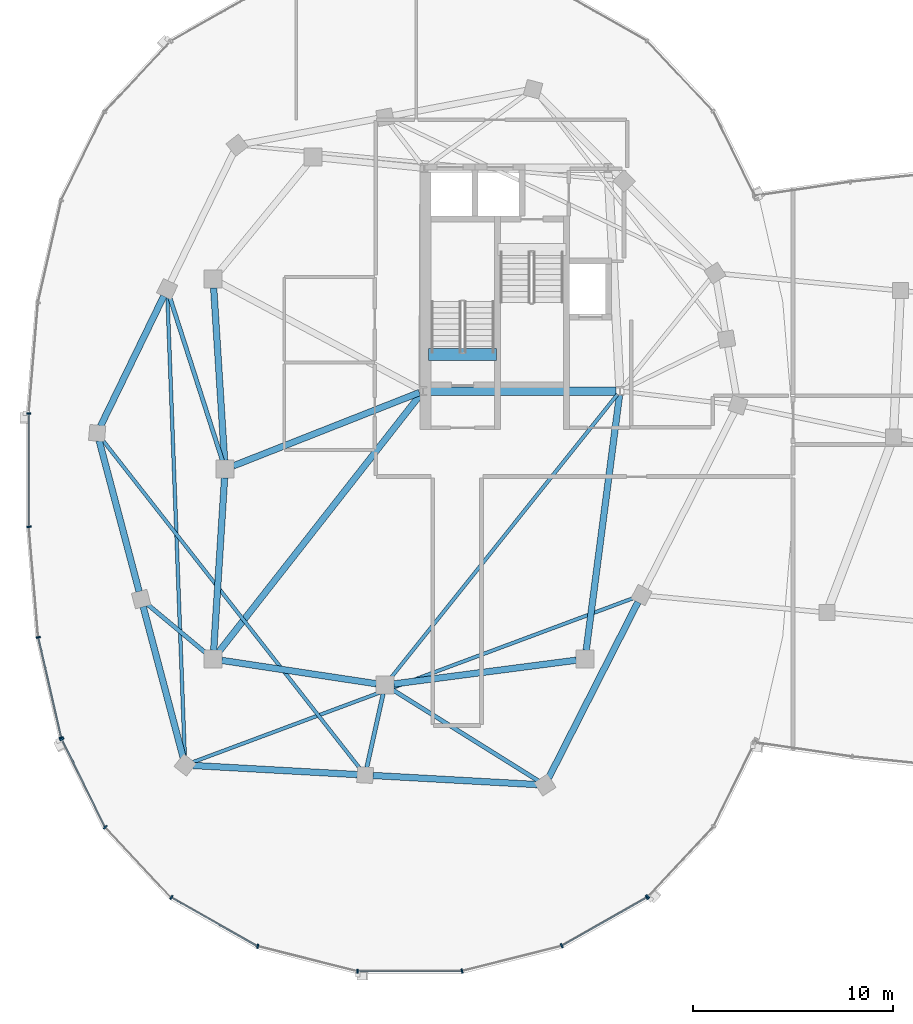
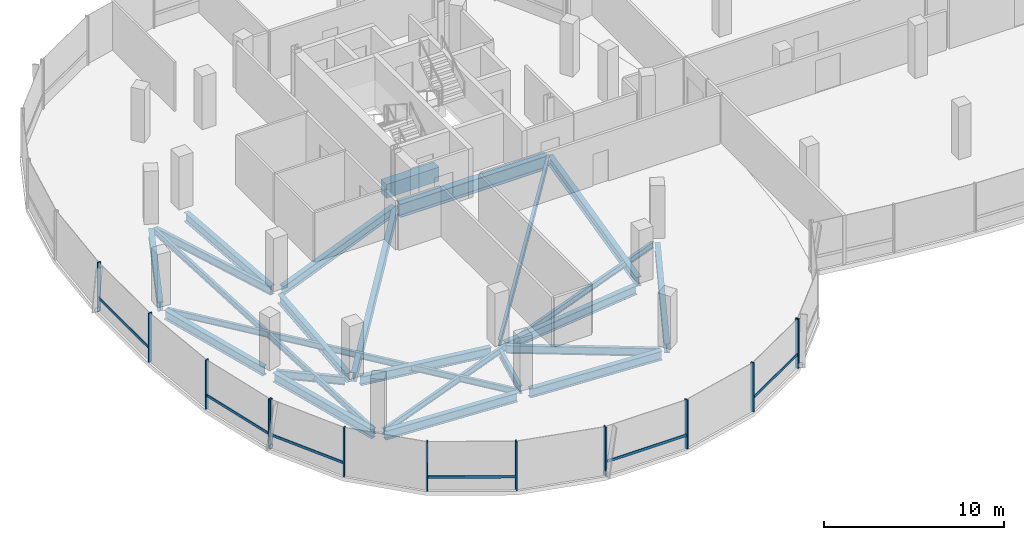
# One storey, part 3 of 24: 23 beams, 19 members, 3 elements without a shape of their own.
"""IFC4 building model written with IfcOpenShell, lengths in metres."""

from ifc_helpers import new_model, si_unit, direction, frame, origin, origin_2d, place, context, subcontext, project, spatial, rectangle, i_section, extrude, material, material_profile, profile_set, type_object, element, aggregate, save


model = new_model("IFC4")

# Units and contexts
model_context = context("Model", 3, precision=1e-05, world=origin(), true_north=direction((0.0, 1.0)))
body_context = subcontext(model_context, "Body", "Model", "MODEL_VIEW")
ifc_project = project(units=[si_unit("LENGTHUNIT", "METRE"), si_unit("AREAUNIT", "SQUARE_METRE"), si_unit("VOLUMEUNIT", "CUBIC_METRE"), si_unit("PLANEANGLEUNIT", "RADIAN"), si_unit("MASSUNIT", "GRAM", prefix="KILO"), si_unit("THERMODYNAMICTEMPERATUREUNIT", "KELVIN"), si_unit("POWERUNIT", "WATT")], contexts=[model_context])

# Site, building, storey
site_placement = place(None, origin())
site = spatial("IfcSite", under=ifc_project, at=site_placement, CompositionType="ELEMENT")
building_placement = place(site_placement, origin())
building = spatial("IfcBuilding", under=site, at=building_placement, Name="Cundina Bronze Exchange", CompositionType="ELEMENT")
storey_placement = place(building_placement, frame((0.0, 0.0, 268.39990234375)))
storey = spatial("IfcBuildingStorey", under=building, at=storey_placement, Name="L71", CompositionType="ELEMENT", Elevation=268.39990234375)

# Beams
ifc_material_1 = material(Name="Concrete C60/75", Category="concrete")
ifc_material_profile_1 = material_profile(ifc_material_1, rectangle(XDim=0.60009765625, YDim=0.949951171875, at=origin_2d()), Name="RC600X950", Category="concrete")
ifc_profile_set_1 = profile_set([ifc_material_profile_1], Name="Concrete C60/75")
beam_type_1 = type_object("IfcBeamType", Name="BM-COUP-RC950", PredefinedType="LINTEL", material=ifc_profile_set_1)
beam_1_placement = place(storey_placement, frame((-31.02001953125, 5.719970703125, -0.474853515625), z_axis=(1.0, 0.0, 0.0), x_axis=(0.0, 1.0, 0.0)))
element("IfcBeam", 1, at=beam_1_placement, inside=storey, type_object=beam_type_1, Name="L71 Stair W1 Landing Header Beam", PredefinedType="LINTEL", context=body_context, shape_type="SweptSolid", body=[
    extrude(rectangle(XDim=0.60009765625, YDim=0.949951171875, at=origin_2d()), origin(), (0.0, 0.0, 1.0), 3.39990234375),
])
ifc_material_2 = material(Name="Steel ASTM A992 Grade 50", Category="steel")
ifc_material_profile_2 = material_profile(ifc_material_2, i_section(OverallWidth=0.2119140625, OverallDepth=0.5439453125, WebThickness=0.01318359375, FlangeThickness=0.021240234375, FilletRadius=0.013916015625, at=origin_2d()), Name="W21X83", Category="steel")
ifc_profile_set_2 = profile_set([ifc_material_profile_2], Name="Steel ASTM A992 Grade 50")
beam_type_2 = type_object("IfcBeamType", Name="BM-FLR-W21A", PredefinedType="BEAM", material=ifc_profile_set_2)
beam_2_placement = place(storey_placement, frame((-41.334228515625, 0.4169921875, -0.531982421875), z_axis=(-0.306706012964, 0.951804297958, 0.0), x_axis=(-0.951804297958, -0.306706012964, 0.0)))
element("IfcBeam", 2, at=beam_2_placement, inside=storey, type_object=beam_type_2, Name="L71 Leg W Radial Floor Beam 07", PredefinedType="BEAM", context=body_context, shape_type="SweptSolid", body=[
    extrude(i_section(OverallWidth=0.2119140625, OverallDepth=0.5439453125, WebThickness=0.01318359375, FlangeThickness=0.021240234375, FilletRadius=0.013916015625, at=origin_2d()), origin(), (0.0, 0.0, 1.0), 8.629638671875),
])
beam_3_placement = place(storey_placement, frame((-42.136474609375, -9.219482421875, -0.531982421875), z_axis=(-0.768210910963, 0.640196841821, 0.0), x_axis=(-0.640196841821, -0.768210910963, 0.0)))
element("IfcBeam", 3, at=beam_3_placement, inside=storey, type_object=beam_type_2, Name="L71 Leg W Radial Floor Beam 09", PredefinedType="BEAM", context=body_context, shape_type="SweptSolid", body=[
    extrude(i_section(OverallWidth=0.2119140625, OverallDepth=0.5439453125, WebThickness=0.01318359375, FlangeThickness=0.021240234375, FilletRadius=0.013916015625, at=origin_2d()), origin(), (0.0, 0.0, 1.0), 3.860107421875),
])
beam_4_placement = place(storey_placement, frame((-33.294921875, -11.2275390625, -0.531982421875), z_axis=(-0.216930457819, -0.976187060184, 0.0), x_axis=(0.976187060184, -0.216930457819, 0.0)))
element("IfcBeam", 4, at=beam_4_placement, inside=storey, type_object=beam_type_2, Name="L71 Leg W Radial Floor Beam 11", PredefinedType="BEAM", context=body_context, shape_type="SweptSolid", body=[
    extrude(i_section(OverallWidth=0.2119140625, OverallDepth=0.5439453125, WebThickness=0.01318359375, FlangeThickness=0.021240234375, FilletRadius=0.013916015625, at=origin_2d()), origin(), (0.0, 0.0, 1.0), 3.78369140625),
])
beam_5_placement = place(storey_placement, frame((-32.82861328125, -11.031982421875, -0.531982421875), z_axis=(0.847983963552, -0.530021884038, 0.0), x_axis=(0.530021884038, 0.847983963552, 0.0)))
element("IfcBeam", 5, at=beam_5_placement, inside=storey, type_object=beam_type_2, Name="L71 Leg W Radial Floor Beam 12", PredefinedType="BEAM", context=body_context, shape_type="SweptSolid", body=[
    extrude(i_section(OverallWidth=0.2119140625, OverallDepth=0.5439453125, WebThickness=0.01318359375, FlangeThickness=0.021240234375, FilletRadius=0.013916015625, at=origin_2d()), origin(), (0.0, 0.0, 1.0), 8.608154296875),
])
ifc_material_profile_3 = material_profile(ifc_material_2, i_section(OverallWidth=0.178955078125, OverallDepth=0.409912109375, WebThickness=0.0087890625, FlangeThickness=0.014404296875, FilletRadius=0.010986328125, at=origin_2d()), Name="W16X45", Category="steel")
ifc_profile_set_3 = profile_set([ifc_material_profile_3], Name="Steel ASTM A992 Grade 50")
beam_type_3 = type_object("IfcBeamType", Name="BM-JST-W16", PredefinedType="JOIST", material=ifc_profile_set_3)
beam_6_placement = place(storey_placement, frame((-21.572509765625, 3.746826171875, -0.46484375), z_axis=(-0.624364266872, -0.781133319129, 0.0), x_axis=(0.781133319129, -0.624364266872, 0.0)))
element("IfcBeam", 6, at=beam_6_placement, inside=storey, type_object=beam_type_3, Name="L71 W Interior Core-to-Ring Joist 2", PredefinedType="JOIST", context=body_context, shape_type="SweptSolid", body=[
    extrude(i_section(OverallWidth=0.178955078125, OverallDepth=0.409912109375, WebThickness=0.0087890625, FlangeThickness=0.014404296875, FilletRadius=0.010986328125, at=origin_2d()), origin(), (0.0, 0.0, 1.0), 18.184814453125),
])
beam_7_placement = place(storey_placement, frame((-44.085205078125, 8.6123046875, -0.46484375), z_axis=(0.037784872152, -0.999285896746, 0.0), x_axis=(0.999285896746, 0.037784872152, 0.0)))
element("IfcBeam", 7, at=beam_7_placement, inside=storey, type_object=beam_type_3, Name="L71 Leg W Lobe Floor Joist 07-10", PredefinedType="JOIST", context=body_context, shape_type="SweptSolid", body=[
    extrude(i_section(OverallWidth=0.178955078125, OverallDepth=0.409912109375, WebThickness=0.0087890625, FlangeThickness=0.014404296875, FilletRadius=0.010986328125, at=origin_2d()), origin(), (0.0, 0.0, 1.0), 23.041015625),
])
beam_8_placement = place(storey_placement, frame((-47.360595703125, 1.49462890625, -0.46484375), z_axis=(0.616804005008, -0.78711677622, 0.0), x_axis=(0.78711677622, 0.616804005008, 0.0)))
element("IfcBeam", 8, at=beam_8_placement, inside=storey, type_object=beam_type_3, Name="L71 Leg W Lobe Floor Joist 08-11", PredefinedType="JOIST", context=body_context, shape_type="SweptSolid", body=[
    extrude(i_section(OverallWidth=0.178955078125, OverallDepth=0.409912109375, WebThickness=0.0087890625, FlangeThickness=0.014404296875, FilletRadius=0.010986328125, at=origin_2d()), origin(), (0.0, 0.0, 1.0), 20.948974609375),
])
beam_9_placement = place(storey_placement, frame((-42.83642578125, -14.66455078125, -0.46484375), z_axis=(0.937127932085, 0.348986015344, 0.0), x_axis=(-0.348986015344, 0.937127932085, 0.0)))
element("IfcBeam", 9, at=beam_9_placement, inside=storey, type_object=beam_type_3, Name="L71 Leg W Lobe Floor Joist 10-13", PredefinedType="JOIST", context=body_context, shape_type="SweptSolid", body=[
    extrude(i_section(OverallWidth=0.178955078125, OverallDepth=0.409912109375, WebThickness=0.0087890625, FlangeThickness=0.014404296875, FilletRadius=0.010986328125, at=origin_2d()), origin(), (0.0, 0.0, 1.0), 23.58056640625),
])
ifc_material_profile_4 = material_profile(ifc_material_2, i_section(OverallWidth=0.324951171875, OverallDepth=0.615966796875, WebThickness=0.013916015625, FlangeThickness=0.021484375, FilletRadius=0.01611328125, at=origin_2d()), Name="W24X117", Category="steel")
ifc_profile_set_4 = profile_set([ifc_material_profile_4], Name="Steel ASTM A992 Grade 50")
beam_type_4 = type_object("IfcBeamType", Name="BM-RING-W24", PredefinedType="USERDEFINED", material=ifc_profile_set_4)
for number, where, z_axis, x_axis, name in (
    (10, (-41.7724609375, 9.06298828125, -0.56787109375), (0.063046519736, -0.998010589297, 0.0), (0.998010589297, 0.063046519736, 0.0), "L71 W Inner Structural Ring Girder 03"),
    (11, (-41.2275390625, -0.43701171875, -0.56787109375), (-0.063046519736, -0.998010589297, 0.0), (0.998010589297, -0.063046519736, 0.0), "L71 W Inner Structural Ring Girder 04"),
):
    element("IfcBeam", number, at=place(storey_placement, frame(where, z_axis=z_axis, x_axis=x_axis)), inside=storey, type_object=beam_type_4, Name=name, ObjectType="GIRDER", PredefinedType="USERDEFINED", context=body_context, shape_type="SweptSolid", body=[
        extrude(i_section(OverallWidth=0.324951171875, OverallDepth=0.615966796875, WebThickness=0.013916015625, FlangeThickness=0.021484375, FilletRadius=0.01611328125, at=origin_2d()), origin(), (0.0, 0.0, 1.0), 8.64306640625),
    ])
beam_10_placement = place(storey_placement, frame((-41.366943359375, -9.5654296875, -0.56787109375), z_axis=(0.988764903598, -0.149478979839, 0.0), x_axis=(0.149478979839, 0.988764903598, 0.0)))
element("IfcBeam", 12, at=beam_10_placement, inside=storey, type_object=beam_type_4, Name="L71 W Inner Structural Ring Girder 05", ObjectType="GIRDER", PredefinedType="USERDEFINED", context=body_context, shape_type="SweptSolid", body=[
    extrude(i_section(OverallWidth=0.324951171875, OverallDepth=0.615966796875, WebThickness=0.013916015625, FlangeThickness=0.021484375, FilletRadius=0.01611328125, at=origin_2d()), origin(), (0.0, 0.0, 1.0), 7.82177734375),
])
beam_11_placement = place(storey_placement, frame((-32.765625, -10.743408203125, -0.56787109375), z_axis=(0.991656498582, 0.128908451316, 0.0), x_axis=(-0.128908451316, 0.991656498582, 0.0)))
element("IfcBeam", 13, at=beam_11_placement, inside=storey, type_object=beam_type_4, Name="L71 W Inner Structural Ring Girder 06", ObjectType="GIRDER", PredefinedType="USERDEFINED", context=body_context, shape_type="SweptSolid", body=[
    extrude(i_section(OverallWidth=0.324951171875, OverallDepth=0.615966796875, WebThickness=0.013916015625, FlangeThickness=0.021484375, FilletRadius=0.01611328125, at=origin_2d()), origin(), (0.0, 0.0, 1.0), 9.208251953125),
])
beam_12_placement = place(storey_placement, frame((-23.143310546875, -9.065673828125, -0.56787109375), z_axis=(0.129501251979, 0.991579258424, 0.0), x_axis=(-0.991579258424, 0.129501251979, 0.0)))
element("IfcBeam", 14, at=beam_12_placement, inside=storey, type_object=beam_type_4, Name="L71 W Inner Structural Ring Girder 07", ObjectType="GIRDER", PredefinedType="USERDEFINED", context=body_context, shape_type="SweptSolid", body=[
    extrude(i_section(OverallWidth=0.324951171875, OverallDepth=0.615966796875, WebThickness=0.013916015625, FlangeThickness=0.021484375, FilletRadius=0.01611328125, at=origin_2d()), origin(), (0.0, 0.0, 1.0), 12.8798828125),
])
beam_13_placement = place(storey_placement, frame((-31.482421875, 3.828125, -0.56787109375), z_axis=(-0.930404106569, -0.366535398673, 0.0), x_axis=(0.366535398673, -0.930404106569, 0.0)))
element("IfcBeam", 15, at=beam_13_placement, inside=storey, type_object=beam_type_4, Name="L71 W Core-to-Waist Tie Beam 1", ObjectType="GIRDER", PredefinedType="USERDEFINED", context=body_context, shape_type="SweptSolid", body=[
    extrude(i_section(OverallWidth=0.324951171875, OverallDepth=0.615966796875, WebThickness=0.013916015625, FlangeThickness=0.021484375, FilletRadius=0.01611328125, at=origin_2d()), origin(), (0.0, 0.0, 1.0), 10.00634765625),
])
beam_14_placement = place(storey_placement, frame((-31.4208984375, 3.74560546875, -0.56787109375), z_axis=(-0.616782900053, -0.787133314123, 0.0), x_axis=(0.787133314123, -0.616782900053, 0.0)))
element("IfcBeam", 16, at=beam_14_placement, inside=storey, type_object=beam_type_4, Name="L71 W Core-to-Waist Tie Beam 3", ObjectType="GIRDER", PredefinedType="USERDEFINED", context=body_context, shape_type="SweptSolid", body=[
    extrude(i_section(OverallWidth=0.324951171875, OverallDepth=0.615966796875, WebThickness=0.013916015625, FlangeThickness=0.021484375, FilletRadius=0.01611328125, at=origin_2d()), origin(), (0.0, 0.0, 1.0), 16.3896484375),
])
beam_15_placement = place(storey_placement, frame((-44.26953125, 8.65087890625, -0.56787109375), z_axis=(-0.437216986791, -0.899356050995, 0.0), x_axis=(0.899356050995, -0.437216986791, 0.0)))
element("IfcBeam", 17, at=beam_15_placement, inside=storey, type_object=beam_type_4, Name="L71 W Perimeter Ring Girder 07", ObjectType="GIRDER", PredefinedType="USERDEFINED", context=body_context, shape_type="SweptSolid", body=[
    extrude(i_section(OverallWidth=0.324951171875, OverallDepth=0.615966796875, WebThickness=0.013916015625, FlangeThickness=0.021484375, FilletRadius=0.01611328125, at=origin_2d()), origin(), (0.0, 0.0, 1.0), 7.2294921875),
])
for number, where, z_axis, x_axis, name in (
    (18, (-47.50048828125, 1.425048828125, -0.56787109375), (0.256183793797, -0.966628089699, 0.0), (0.966628089699, 0.256183793797, 0.0), "L71 W Perimeter Ring Girder 08"),
    (19, (-45.300537109375, -6.875, -0.56787109375), (0.256212999207, -0.966620348967, 0.0), (0.966620348967, 0.256212999207, 0.0), "L71 W Perimeter Ring Girder 09"),
):
    element("IfcBeam", number, at=place(storey_placement, frame(where, z_axis=z_axis, x_axis=x_axis)), inside=storey, type_object=beam_type_4, Name=name, ObjectType="GIRDER", PredefinedType="USERDEFINED", context=body_context, shape_type="SweptSolid", body=[
        extrude(i_section(OverallWidth=0.324951171875, OverallDepth=0.615966796875, WebThickness=0.013916015625, FlangeThickness=0.021484375, FilletRadius=0.01611328125, at=origin_2d()), origin(), (0.0, 0.0, 1.0), 7.810791015625),
    ])
for number, where, z_axis, x_axis, name in (
    (20, (-42.8125, -14.821533203125, -0.56787109375), (0.998459806018, -0.055479868117, 0.0), (0.055479868117, 0.998459806018, 0.0), "L71 W Perimeter Ring Girder 10"),
    (21, (-33.8125, -15.321533203125, -0.56787109375), (0.998459806018, -0.055479868117, 0.0), (0.055479868117, 0.998459806018, 0.0), "L71 W Perimeter Ring Girder 11"),
):
    element("IfcBeam", number, at=place(storey_placement, frame(where, z_axis=z_axis, x_axis=x_axis)), inside=storey, type_object=beam_type_4, Name=name, ObjectType="GIRDER", PredefinedType="USERDEFINED", context=body_context, shape_type="SweptSolid", body=[
        extrude(i_section(OverallWidth=0.324951171875, OverallDepth=0.615966796875, WebThickness=0.013916015625, FlangeThickness=0.021484375, FilletRadius=0.01611328125, at=origin_2d()), origin(), (0.0, 0.0, 1.0), 8.23779296875),
    ])
beam_16_placement = place(storey_placement, frame((-25.0244140625, -15.4541015625, -0.56787109375), z_axis=(0.452839263805, 0.891592171991, 0.0), x_axis=(-0.891592171991, 0.452839263805, 0.0)))
element("IfcBeam", 22, at=beam_16_placement, inside=storey, type_object=beam_type_4, Name="L71 W Perimeter Ring Girder 12", ObjectType="GIRDER", PredefinedType="USERDEFINED", context=body_context, shape_type="SweptSolid", body=[
    extrude(i_section(OverallWidth=0.324951171875, OverallDepth=0.615966796875, WebThickness=0.013916015625, FlangeThickness=0.021484375, FilletRadius=0.01611328125, at=origin_2d()), origin(), (0.0, 0.0, 1.0), 9.879150390625),
])
ifc_material_profile_5 = material_profile(ifc_material_2, i_section(OverallWidth=0.41796875, OverallDepth=0.927001953125, WebThickness=0.019287109375, FlangeThickness=0.031982421875, FilletRadius=0.02392578125, at=origin_2d()), Name="W36X231", Category="steel")
ifc_profile_set_5 = profile_set([ifc_material_profile_5], Name="Steel ASTM A992 Grade 50")
beam_type_5 = type_object("IfcBeamType", Name="BM-WRN-W36B", PredefinedType="USERDEFINED", material=ifc_profile_set_5)
beam_17_placement = place(storey_placement, frame((-31.10400390625, 3.89990234375, -0.723388671875), z_axis=(1.0, 0.0, 0.0), x_axis=(0.0, 1.0, 0.0)))
element("IfcBeam", 23, at=beam_17_placement, inside=storey, type_object=beam_type_5, Name="L71 W Core Perimeter Tie Girder 1", ObjectType="GIRDER", PredefinedType="USERDEFINED", context=body_context, shape_type="SweptSolid", body=[
    extrude(i_section(OverallWidth=0.41796875, OverallDepth=0.927001953125, WebThickness=0.019287109375, FlangeThickness=0.031982421875, FilletRadius=0.02392578125, at=origin_2d()), origin(), (0.0, 0.0, 1.0), 9.4580078125),
])

# Curtain wall, members
ifc_material_3 = material(Name="Anodised Bronze Aluminium 6063-T6", Category="aluminium")
curtain_wall_type = type_object("IfcCurtainWallType", Name="CWS-SKG-BRG", PredefinedType="NOTDEFINED", material=ifc_material_3)
curtain_wall_1_placement = place(storey_placement, origin())
curtain_wall_1 = element("IfcCurtainWall", 24, at=curtain_wall_1_placement, inside=storey, type_object=curtain_wall_type, Name="L71 CW-06 Curtain Wall Run CWR-L71-W2", PredefinedType="NOTDEFINED")
ifc_material_profile_6 = material_profile(ifc_material_3, rectangle(XDim=0.074951171875, YDim=0.219970703125, at=origin_2d()), Name="AL75X220", Category="aluminium")
ifc_profile_set_6 = profile_set([ifc_material_profile_6], Name="Anodised Bronze Aluminium 6063-T6")
member_type_1 = type_object("IfcMemberType", Name="CWM-MUL-220", PredefinedType="MULLION", material=ifc_profile_set_6)
member_1_placement = place(storey_placement, frame((-51.01904296875, 2.79150390625, 0.0), z_axis=(0.0, 0.0, 1.0), x_axis=(0.0, -1.0, 0.0)))
member_1 = element("IfcMember", 25, at=member_1_placement, type_object=member_type_1, Name="CW-06 Mullion 5", PredefinedType="MULLION", context=body_context, shape_type="SweptSolid", body=[
    extrude(rectangle(XDim=0.074951171875, YDim=0.219970703125, at=origin_2d()), origin(), (0.0, 0.0, 1.0), 3.340087890625),
])
member_2_placement = place(storey_placement, frame((-51.01513671875, -2.885498046875, 0.0), z_axis=(0.0, 0.0, 1.0), x_axis=(0.083677843332, -0.99649285925, 0.0)))
member_2 = element("IfcMember", 26, at=member_2_placement, type_object=member_type_1, Name="CW-06 Mullion 6", PredefinedType="MULLION", context=body_context, shape_type="SweptSolid", body=[
    extrude(rectangle(XDim=0.074951171875, YDim=0.219970703125, at=origin_2d()), origin(), (0.0, 0.0, 1.0), 3.340087890625),
])
member_3_placement = place(storey_placement, frame((-50.544677734375, -8.4111328125, 0.0), z_axis=(0.0, 0.0, 1.0), x_axis=(0.223250116011, -0.974761194191, 0.0)))
member_3 = element("IfcMember", 27, at=member_3_placement, type_object=member_type_1, Name="CW-06 Mullion 7", PredefinedType="MULLION", context=body_context, shape_type="SweptSolid", body=[
    extrude(rectangle(XDim=0.074951171875, YDim=0.219970703125, at=origin_2d()), origin(), (0.0, 0.0, 1.0), 3.340087890625),
])
member_4_placement = place(storey_placement, frame((-49.39404296875, -13.433837890625, 0.0), z_axis=(0.0, 0.0, 1.0), x_axis=(0.223250116011, -0.974761194191, 0.0)))
member_4 = element("IfcMember", 28, at=member_4_placement, type_object=member_type_1, Name="CW-06 End Mullion", PredefinedType="MULLION", context=body_context, shape_type="SweptSolid", body=[
    extrude(rectangle(XDim=0.074951171875, YDim=0.219970703125, at=origin_2d()), origin(), (0.0, 0.0, 1.0), 3.340087890625),
])

curtain_wall_2_placement = place(storey_placement, origin())
curtain_wall_2 = element("IfcCurtainWall", 29, at=curtain_wall_2_placement, inside=storey, type_object=curtain_wall_type, Name="L71 CW-06 Curtain Wall Run CWR-L71-W3", PredefinedType="NOTDEFINED")
member_5_placement = place(storey_placement, frame((-49.369140625, -13.50390625, 0.0), z_axis=(0.0, 0.0, 1.0), x_axis=(0.440566004113, -0.897720221461, 0.0)))
member_5 = element("IfcMember", 30, at=member_5_placement, type_object=member_type_1, Name="CW-06 Mullion 1", PredefinedType="MULLION", context=body_context, shape_type="SweptSolid", body=[
    extrude(rectangle(XDim=0.074951171875, YDim=0.219970703125, at=origin_2d()), origin(), (0.0, 0.0, 1.0), 3.340087890625),
])
member_6_placement = place(storey_placement, frame((-47.1962890625, -17.910400390625, 0.0), z_axis=(0.0, 0.0, 1.0), x_axis=(0.684292606175, -0.729207535023, 0.0)))
member_6 = element("IfcMember", 31, at=member_6_placement, type_object=member_type_1, Name="CW-06 Mullion 2", PredefinedType="MULLION", context=body_context, shape_type="SweptSolid", body=[
    extrude(rectangle(XDim=0.074951171875, YDim=0.219970703125, at=origin_2d()), origin(), (0.0, 0.0, 1.0), 3.340087890625),
])
member_7_placement = place(storey_placement, frame((-43.88916015625, -21.419921875, 0.0), z_axis=(0.0, 0.0, 1.0), x_axis=(0.86958112538, -0.493790103568, 0.0)))
member_7 = element("IfcMember", 32, at=member_7_placement, type_object=member_type_1, Name="CW-06 Mullion 3", PredefinedType="MULLION", context=body_context, shape_type="SweptSolid", body=[
    extrude(rectangle(XDim=0.074951171875, YDim=0.219970703125, at=origin_2d()), origin(), (0.0, 0.0, 1.0), 3.340087890625),
])
member_8_placement = place(storey_placement, frame((-39.5703125, -23.86181640625, 0.0), z_axis=(0.0, 0.0, 1.0), x_axis=(0.969744325821, -0.244122802168, 0.0)))
member_8 = element("IfcMember", 33, at=member_8_placement, type_object=member_type_1, Name="CW-06 Mullion 4", PredefinedType="MULLION", context=body_context, shape_type="SweptSolid", body=[
    extrude(rectangle(XDim=0.074951171875, YDim=0.219970703125, at=origin_2d()), origin(), (0.0, 0.0, 1.0), 3.340087890625),
])
member_9_placement = place(storey_placement, frame((-34.576416015625, -25.110107421875, 0.0), z_axis=(0.0, 0.0, 1.0), x_axis=(1.0, 0.0, 0.0)))
member_9 = element("IfcMember", 34, at=member_9_placement, type_object=member_type_1, Name="CW-06 Mullion 5", PredefinedType="MULLION", context=body_context, shape_type="SweptSolid", body=[
    extrude(rectangle(XDim=0.074951171875, YDim=0.219970703125, at=origin_2d()), origin(), (0.0, 0.0, 1.0), 3.340087890625),
])
member_10_placement = place(storey_placement, frame((-29.351806640625, -25.10107421875, 0.0), z_axis=(0.0, 0.0, 1.0), x_axis=(0.969744325821, 0.244122802168, 0.0)))
member_10 = element("IfcMember", 35, at=member_10_placement, type_object=member_type_1, Name="CW-06 Mullion 6", PredefinedType="MULLION", context=body_context, shape_type="SweptSolid", body=[
    extrude(rectangle(XDim=0.074951171875, YDim=0.219970703125, at=origin_2d()), origin(), (0.0, 0.0, 1.0), 3.340087890625),
])
member_11_placement = place(storey_placement, frame((-24.365478515625, -23.8359375, 0.0), z_axis=(0.0, 0.0, 1.0), x_axis=(0.86958112538, 0.493790103568, 0.0)))
member_11 = element("IfcMember", 36, at=member_11_placement, type_object=member_type_1, Name="CW-06 Mullion 7", PredefinedType="MULLION", context=body_context, shape_type="SweptSolid", body=[
    extrude(rectangle(XDim=0.074951171875, YDim=0.219970703125, at=origin_2d()), origin(), (0.0, 0.0, 1.0), 3.340087890625),
])
member_12_placement = place(storey_placement, frame((-20.11083984375, -21.419921875, 0.0), z_axis=(0.0, 0.0, 1.0), x_axis=(0.86958112538, 0.493790103568, 0.0)))
member_12 = element("IfcMember", 37, at=member_12_placement, type_object=member_type_1, Name="CW-06 End Mullion", PredefinedType="MULLION", context=body_context, shape_type="SweptSolid", body=[
    extrude(rectangle(XDim=0.074951171875, YDim=0.219970703125, at=origin_2d()), origin(), (0.0, 0.0, 1.0), 3.340087890625),
])

# Curtain wall, member
curtain_wall_3_placement = place(storey_placement, origin())
curtain_wall_3 = element("IfcCurtainWall", 38, at=curtain_wall_3_placement, inside=storey, type_object=curtain_wall_type, Name="L71 CW-06 Curtain Wall Run CWR-L71-W4", PredefinedType="NOTDEFINED")
member_13_placement = place(storey_placement, frame((-20.059814453125, -21.3798828125, 0.0), z_axis=(0.0, 0.0, 1.0), x_axis=(0.684292606175, 0.729207535023, 0.0)))
member_13 = element("IfcMember", 39, at=member_13_placement, type_object=member_type_1, Name="CW-06 Mullion 1", PredefinedType="MULLION", context=body_context, shape_type="SweptSolid", body=[
    extrude(rectangle(XDim=0.074951171875, YDim=0.219970703125, at=origin_2d()), origin(), (0.0, 0.0, 1.0), 3.340087890625),
])
aggregate(curtain_wall_3, [member_13])

# Member
ifc_material_profile_7 = material_profile(ifc_material_3, rectangle(XDim=0.070068359375, YDim=0.179931640625, at=origin_2d()), Name="AL70X180", Category="aluminium")
ifc_profile_set_7 = profile_set([ifc_material_profile_7], Name="Anodised Bronze Aluminium 6063-T6")
member_type_2 = type_object("IfcMemberType", Name="CWM-TRN-180", PredefinedType="USERDEFINED", material=ifc_profile_set_7)
member_14_placement = place(storey_placement, frame((-51.01904296875, 2.750244140625, 0.920166015625), z_axis=(0.0, -1.0, 0.0), x_axis=(1.0, 0.0, 0.0)))
member_14 = element("IfcMember", 40, at=member_14_placement, type_object=member_type_2, Name="CW-06 Spandrel Transom 5", ObjectType="TRANSOM", PredefinedType="USERDEFINED", context=body_context, shape_type="SweptSolid", body=[
    extrude(rectangle(XDim=0.070068359375, YDim=0.179931640625, at=origin_2d()), origin(), (0.0, 0.0, 1.0), 5.5830078125),
])

member_15_placement = place(storey_placement, frame((-50.535400390625, -8.451416015625, 0.920166015625), z_axis=(0.223283702293, -0.974753501297, 0.0), x_axis=(0.974753501297, 0.223283702293, 0.0)))
member_15 = element("IfcMember", 41, at=member_15_placement, type_object=member_type_2, Name="CW-06 Spandrel Transom 7", ObjectType="TRANSOM", PredefinedType="USERDEFINED", context=body_context, shape_type="SweptSolid", body=[
    extrude(rectangle(XDim=0.070068359375, YDim=0.179931640625, at=origin_2d()), origin(), (0.0, 0.0, 1.0), 5.070068359375),
])

aggregate(curtain_wall_1, [member_1, member_14, member_2, member_3, member_4, member_15])

member_16_placement = place(storey_placement, frame((-49.35107421875, -13.541015625, 0.920166015625), z_axis=(0.440554408939, -0.897725911826, 0.0), x_axis=(0.897725911826, 0.440554408939, 0.0)))
member_16 = element("IfcMember", 42, at=member_16_placement, type_object=member_type_2, Name="CW-06 Spandrel Transom 1", ObjectType="TRANSOM", PredefinedType="USERDEFINED", context=body_context, shape_type="SweptSolid", body=[
    extrude(rectangle(XDim=0.070068359375, YDim=0.179931640625, at=origin_2d()), origin(), (0.0, 0.0, 1.0), 4.848388671875),
])

member_17_placement = place(storey_placement, frame((-43.853271484375, -21.440185546875, 0.920166015625), z_axis=(0.869557366176, -0.493831941989, 0.0), x_axis=(0.493831941989, 0.869557366176, 0.0)))
member_17 = element("IfcMember", 43, at=member_17_placement, type_object=member_type_2, Name="CW-06 Spandrel Transom 3", ObjectType="TRANSOM", PredefinedType="USERDEFINED", context=body_context, shape_type="SweptSolid", body=[
    extrude(rectangle(XDim=0.070068359375, YDim=0.179931640625, at=origin_2d()), origin(), (0.0, 0.0, 1.0), 4.892822265625),
])

member_18_placement = place(storey_placement, frame((-34.53515625, -25.110107421875, 0.920166015625), z_axis=(1.0, 0.0, 0.0), x_axis=(0.0, 1.0, 0.0)))
member_18 = element("IfcMember", 44, at=member_18_placement, type_object=member_type_2, Name="CW-06 Spandrel Transom 5", ObjectType="TRANSOM", PredefinedType="USERDEFINED", context=body_context, shape_type="SweptSolid", body=[
    extrude(rectangle(XDim=0.070068359375, YDim=0.179931640625, at=origin_2d()), origin(), (0.0, 0.0, 1.0), 5.153076171875),
])

member_19_placement = place(storey_placement, frame((-24.32958984375, -23.815673828125, 0.920166015625), z_axis=(0.869558105282, 0.493830640542, 0.0), x_axis=(-0.493830640542, 0.869558105282, 0.0)))
member_19 = element("IfcMember", 45, at=member_19_placement, type_object=member_type_2, Name="CW-06 Spandrel Transom 7", ObjectType="TRANSOM", PredefinedType="USERDEFINED", context=body_context, shape_type="SweptSolid", body=[
    extrude(rectangle(XDim=0.070068359375, YDim=0.179931640625, at=origin_2d()), origin(), (0.0, 0.0, 1.0), 4.810302734375),
])

aggregate(curtain_wall_2, [member_5, member_16, member_6, member_7, member_17, member_8, member_9, member_18, member_10, member_11, member_12, member_19])

save(model, "model.ifc")
